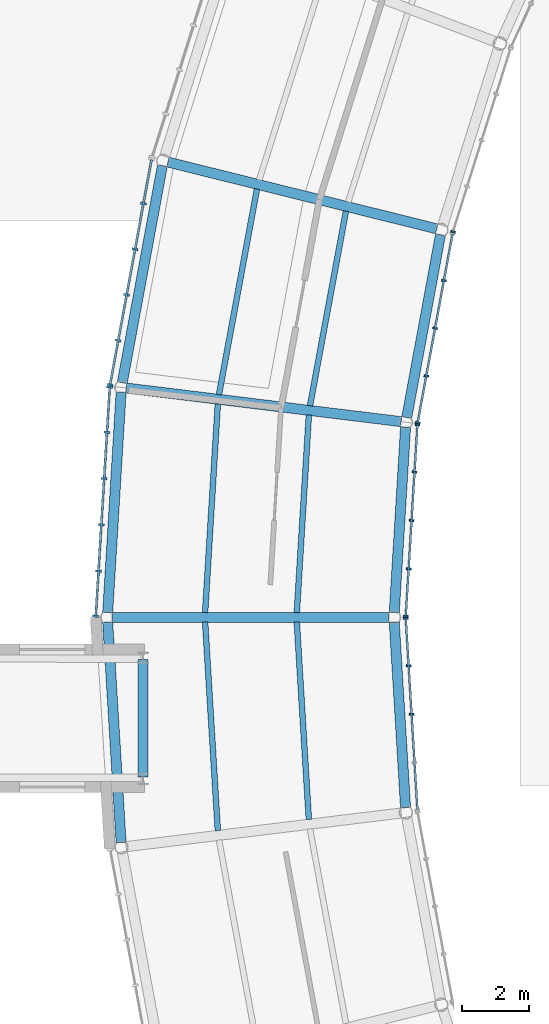
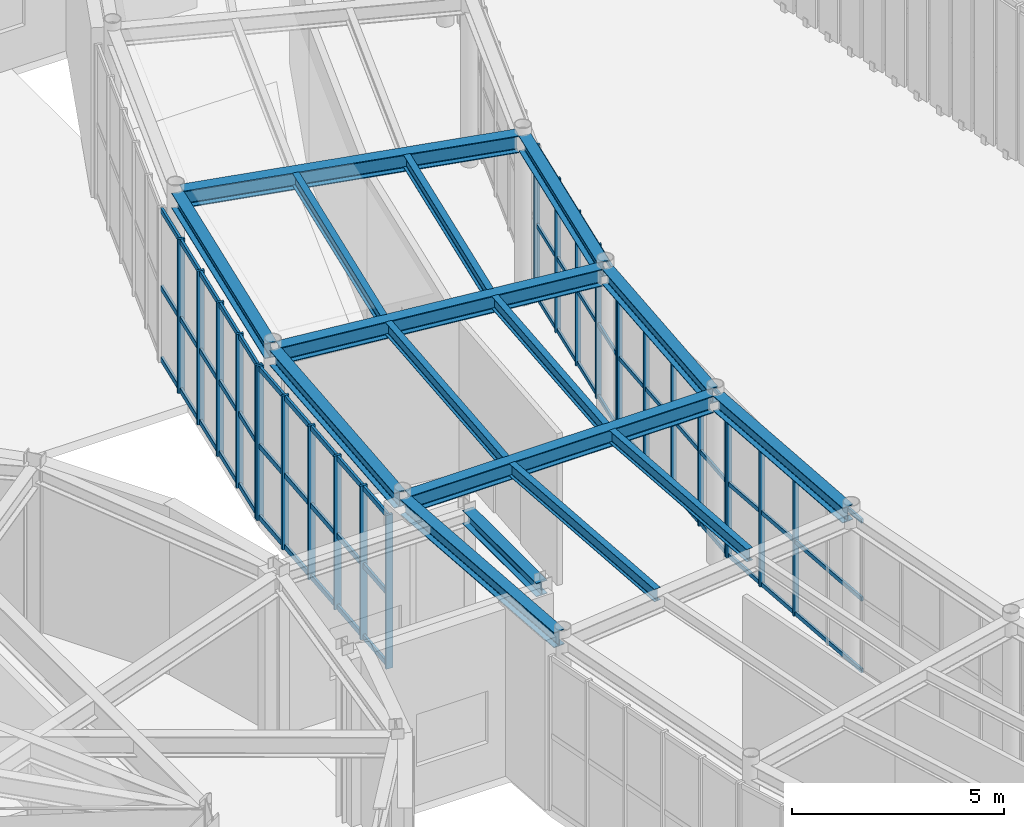
# One storey, part 24 of 97: 39 members, 16 beams, 6 elements without a shape of their own.
"""IFC4 building model written with IfcOpenShell, lengths in metres."""

import ifcopenshell
import ifcopenshell.guid

model = None  # the IFC model being written
_history = None  # IfcOwnerHistory: only IFC2X3 demands one
_inside = {}  # id of a spatial element -> (the spatial element, [elements in it])
_under = {}  # id of a project, library or spatial element -> (it, [spatial elements below it])
_declared = {}  # id of a project -> (the project, [libraries it declares])
_typed = {}  # id of a type object -> (the type object, [elements of that type])
_made_of = {}  # id of a material, layer set ... -> (it, [elements and type objects made of it])


def new_model(schema):
    """Start an empty IFC model of exactly this schema.

    Asked for "IFC4X3", IfcOpenShell would pick the latest addendum, in which some entities
    have other attributes; the version numbers below select the first issue.
    IFC2X3 requires an IfcOwnerHistory on every rooted entity: one is made here for all.
    """
    global model, _history
    if schema == "IFC4X3":
        model = ifcopenshell.file(schema_version=(4, 3, 0, 0))
    else:
        model = ifcopenshell.file(schema=schema)
    _inside.clear()
    _under.clear()
    _declared.clear()
    _typed.clear()
    _made_of.clear()
    _history = None
    if model.schema == "IFC2X3":
        org = make("IfcOrganization", Name="unknown")
        user = make(
            "IfcPersonAndOrganization",
            ThePerson=make("IfcPerson", FamilyName="unknown"),
            TheOrganization=org,
        )
        app = make(
            "IfcApplication",
            ApplicationDeveloper=org,
            Version="unknown",
            ApplicationFullName="unknown",
            ApplicationIdentifier="unknown",
        )
        _history = make(
            "IfcOwnerHistory",
            OwningUser=user,
            OwningApplication=app,
            ChangeAction="ADDED",
            CreationDate=0,
        )
    return model


def make(cls, **values):
    """One entity of the class cls with the attributes given. An attribute that is None is left unset."""
    return model.create_entity(
        cls, **{name: value for name, value in values.items() if value is not None}
    )


def rooted(cls, **values):
    """An entity with a GlobalId (a new one), such as an element, a storey or a relation."""
    return make(cls, GlobalId=ifcopenshell.guid.new(), OwnerHistory=_history, **values)


def si_unit(unit_type, name, prefix=None):
    """IfcSIUnit, for example si_unit("LENGTHUNIT", "METRE", prefix="MILLI")."""
    return make("IfcSIUnit", UnitType=unit_type, Prefix=prefix, Name=name)


def assignment(units):
    """IfcUnitAssignment: the units of a project."""
    return None if units is None else make("IfcUnitAssignment", Units=units)


def point(xyz):
    """IfcCartesianPoint."""
    return None if xyz is None else make("IfcCartesianPoint", Coordinates=xyz)


def direction(xyz):
    """IfcDirection."""
    return None if xyz is None else make("IfcDirection", DirectionRatios=xyz)


def frame(location, z_axis=None, x_axis=None):
    """IfcAxis2Placement3D, a coordinate frame: its origin and axes. An axis left out is left unset."""
    return make(
        "IfcAxis2Placement3D",
        Location=point(location),
        Axis=direction(z_axis),
        RefDirection=direction(x_axis),
    )


def frame_2d(location, x_axis=None):
    """IfcAxis2Placement2D, a coordinate frame in the plane: its origin and x axis."""
    return make(
        "IfcAxis2Placement2D", Location=point(location), RefDirection=direction(x_axis)
    )


def origin():
    """The frame at (0, 0, 0) with its axes left unset."""
    return frame((0.0, 0.0, 0.0))


def origin_2d():
    """The frame at (0, 0) in the plane with its x axis left unset."""
    return frame_2d((0.0, 0.0))


def place(relative_to, where):
    """IfcLocalPlacement: puts the frame where relative to a parent placement (None: the world)."""
    return make(
        "IfcLocalPlacement", PlacementRelTo=relative_to, RelativePlacement=where
    )


def context(
    kind, dimensions, precision=None, world=None, true_north=None, identifier=None
):
    """IfcGeometricRepresentationContext, for example the 3D "Model" context."""
    return make(
        "IfcGeometricRepresentationContext",
        ContextIdentifier=identifier,
        ContextType=kind,
        CoordinateSpaceDimension=dimensions,
        Precision=precision,
        WorldCoordinateSystem=world,
        TrueNorth=true_north,
    )


def subcontext(parent, identifier, kind, view, scale=None):
    """IfcGeometricRepresentationSubContext, for example "Body" below "Model"."""
    return make(
        "IfcGeometricRepresentationSubContext",
        ContextIdentifier=identifier,
        ContextType=kind,
        ParentContext=parent,
        TargetScale=scale,
        TargetView=view,
    )


def project(units=None, contexts=None):
    """IfcProject with its units and contexts."""
    return rooted(
        "IfcProject",
        Name="project",
        RepresentationContexts=contexts,
        UnitsInContext=assignment(units),
    )


def spatial(cls, under=None, at=None, **own):
    """A site, building, storey or space (cls), placed at a placement, below another one or the project."""
    s = rooted(cls, ObjectPlacement=at, **own)
    if under is not None:
        _under.setdefault(under.id(), (under, []))[1].append(s)
    return s


def profile(cls, at=None, kind="AREA", **sizes):
    """A parametric profile (cls). Its sizes go by their IFC names, for example OverallWidth=200.0."""
    return make(cls, ProfileType=kind, Position=at, **sizes)


def rectangle(**sizes):
    """IfcRectangleProfileDef."""
    return profile("IfcRectangleProfileDef", **sizes)


def i_section(**sizes):
    """IfcIShapeProfileDef."""
    return profile("IfcIShapeProfileDef", **sizes)


def extrude(swept, where, along, depth):
    """IfcExtrudedAreaSolid: the profile swept, set in the frame where, extruded along a direction by depth."""
    return make(
        "IfcExtrudedAreaSolid",
        SweptArea=swept,
        Position=where,
        ExtrudedDirection=direction(along),
        Depth=depth,
    )


def shape(context_of_items, identifier, shape_type, items):
    """IfcShapeRepresentation: the items that make up one representation, for example the "Body"."""
    return make(
        "IfcShapeRepresentation",
        ContextOfItems=context_of_items,
        RepresentationIdentifier=identifier,
        RepresentationType=shape_type,
        Items=items,
    )


def material(Name=None, Category=None):
    """IfcMaterial."""
    return make("IfcMaterial", Name=Name, Category=Category)


def material_profile(
    of_material, cross_section, Name=None, Category=None, Priority=None
):
    """IfcMaterialProfile: a cross section and its material."""
    return make(
        "IfcMaterialProfile",
        Name=Name,
        Material=of_material,
        Profile=cross_section,
        Priority=Priority,
        Category=Category,
    )


def profile_set(profiles, Name=None, composite=None):
    """IfcMaterialProfileSet."""
    return make(
        "IfcMaterialProfileSet",
        Name=Name,
        MaterialProfiles=profiles,
        CompositeProfile=composite,
    )


def made_of(thing, what):
    """Note that an element or type object is made of a material, layer set ...; save() writes the relation."""
    if what is not None:
        _made_of.setdefault(what.id(), (what, []))[1].append(thing)
    return thing


def type_object(cls, material=None, **own):
    """A type object (cls), such as IfcWallType, which elements share."""
    return made_of(rooted(cls, **own), material)


def element(
    cls,
    number,
    at=None,
    inside=None,
    cuts=None,
    type_object=None,
    material=None,
    context=None,
    identifier="Body",
    shape_type=None,
    held_by="IfcProductDefinitionShape",
    body=None,
    shapes=None,
    **own,
):
    """One element of the class cls, such as IfcWall. Its Tag is "e" and its number.

    at: its placement. inside: the storey or other place that contains it. cuts: it is an
    opening in that element (IfcRelVoidsElement). A single representation is given by context,
    identifier, shape_type and body (its items); several are given by shapes. held_by: the class
    of the entity that holds the representations. save() writes the other relations.
    """
    e = rooted(cls, Tag="e%d" % number, ObjectPlacement=at, **own)
    if body is not None:
        shapes = [shape(context, identifier, shape_type, body)]
    if shapes is not None:
        e.Representation = make(held_by, Representations=shapes)
    if inside is not None:
        _inside.setdefault(inside.id(), (inside, []))[1].append(e)
    if cuts is not None:
        rooted(
            "IfcRelVoidsElement", RelatingBuildingElement=cuts, RelatedOpeningElement=e
        )
    if type_object is not None:
        _typed.setdefault(type_object.id(), (type_object, []))[1].append(e)
    return made_of(e, material)


def aggregate(whole, parts):
    """IfcRelAggregates: a whole, such as a stair, and the parts it consists of."""
    return rooted("IfcRelAggregates", RelatingObject=whole, RelatedObjects=parts)


def save(model, path):
    """Write the relations noted so far, then the file.

    IfcRelAggregates (storeys below a building ...), IfcRelContainedInSpatialStructure (elements
    in a storey), IfcRelDefinesByType, IfcRelAssociatesMaterial and IfcRelDeclares: one each for
    every whole, place, type object, material and project.
    """
    for whole, parts in _under.values():
        aggregate(whole, parts)
    for where, things in _inside.values():
        rooted(
            "IfcRelContainedInSpatialStructure",
            RelatedElements=things,
            RelatingStructure=where,
        )
    for kind, things in _typed.values():
        rooted("IfcRelDefinesByType", RelatedObjects=things, RelatingType=kind)
    for what, things in _made_of.values():
        rooted("IfcRelAssociatesMaterial", RelatedObjects=things, RelatingMaterial=what)
    for by, libraries in _declared.values():
        rooted("IfcRelDeclares", RelatingContext=by, RelatedDefinitions=libraries)
    model.write(path)


model = new_model("IFC4")

# Units and contexts
model_context = context("Model", 3, precision=1e-05, world=origin(), true_north=direction((0.0, 1.0)))
body_context = subcontext(model_context, "Body", "Model", "MODEL_VIEW")
ifc_project = project(units=[si_unit("LENGTHUNIT", "METRE"), si_unit("AREAUNIT", "SQUARE_METRE"), si_unit("VOLUMEUNIT", "CUBIC_METRE"), si_unit("PLANEANGLEUNIT", "RADIAN"), si_unit("MASSUNIT", "GRAM", prefix="KILO")], contexts=[model_context])

# Site, building, storey
site_placement = place(None, origin())
site = spatial("IfcSite", under=ifc_project, at=site_placement, CompositionType="ELEMENT")
building_placement = place(site_placement, origin())
building = spatial("IfcBuilding", under=site, at=building_placement, Name="Varnklinge Art Gallery", CompositionType="ELEMENT")
storey_placement = place(building_placement, origin())
storey = spatial("IfcBuildingStorey", under=building, at=storey_placement, Name="L00", CompositionType="ELEMENT", Elevation=0.0)

# Beams
ifc_material_1 = material(Name="Steel S355", Category="steel")
ifc_material_profile_1 = material_profile(ifc_material_1, i_section(OverallWidth=0.300048828125, OverallDepth=0.489990234375, WebThickness=0.011962890625, FlangeThickness=0.02294921875, FilletRadius=0.027099609375, at=origin_2d()), Name="HEA 500")
ifc_profile_set_1 = profile_set([ifc_material_profile_1], Name="Steel S355")
beam_type_1 = type_object("IfcBeamType", Name="BM-07", PredefinedType="BEAM", material=ifc_profile_set_1)
beam_1_placement = place(storey_placement, frame((41.53759765625, 68.531982421875, 4.635009765625), z_axis=(0.970493677731, -0.241126567355, 0.0), x_axis=(0.241126567355, 0.970493677731, 0.0)))
element("IfcBeam", 1, at=beam_1_placement, inside=storey, type_object=beam_type_1, Name="L00 BM-07 BM-V2-L01-R25", PredefinedType="BEAM", context=body_context, shape_type="SweptSolid", body=[
    extrude(i_section(OverallWidth=0.300048828125, OverallDepth=0.489990234375, WebThickness=0.011962890625, FlangeThickness=0.02294921875, FilletRadius=0.027099609375, at=origin_2d()), origin(), (0.0, 0.0, 1.0), 8.236572265625),
])
for number, where, z_axis, x_axis, name in (
    (2, (40.297119140625, 61.81640625, 4.635009765625), (0.992595580805, -0.121466098009, 0.0), (0.121466098009, 0.992595580805, 0.0), "L00 BM-07 BM-V2-L01-R26"),
    (3, (39.881591796875, 55.0, 4.635009765625), (1.0, 0.0, 0.0), (0.0, 1.0, 0.0), "L00 BM-07 BM-V2-L01-R27"),
):
    element("IfcBeam", number, at=place(storey_placement, frame(where, z_axis=z_axis, x_axis=x_axis)), inside=storey, type_object=beam_type_1, Name=name, PredefinedType="BEAM", context=body_context, shape_type="SweptSolid", body=[
        extrude(i_section(OverallWidth=0.300048828125, OverallDepth=0.489990234375, WebThickness=0.011962890625, FlangeThickness=0.02294921875, FilletRadius=0.027099609375, at=origin_2d()), origin(), (0.0, 0.0, 1.0), 8.23681640625),
    ])
ifc_material_2 = material(Name="Steel S355", Category="steel")
ifc_material_profile_2 = material_profile(ifc_material_2, i_section(OverallWidth=0.300048828125, OverallDepth=0.389892578125, WebThickness=0.010986328125, FlangeThickness=0.01904296875, FilletRadius=0.027099609375, at=origin_2d()), Name="HEA 400")
ifc_profile_set_2 = profile_set([ifc_material_profile_2], Name="Steel S355")
beam_type_2 = type_object("IfcBeamType", Name="BM-09", PredefinedType="BEAM", material=ifc_profile_set_2)
beam_2_placement = place(storey_placement, frame((40.800048828125, 50.260009765625, 4.68505859375), z_axis=(0.0, 1.0, 0.0), x_axis=(-1.0, 0.0, 0.0)))
element("IfcBeam", 4, at=beam_2_placement, inside=storey, type_object=beam_type_2, Name="L00 BM-09 BM-LNK-V3-L01-2", PredefinedType="BEAM", context=body_context, shape_type="SweptSolid", body=[
    extrude(i_section(OverallWidth=0.300048828125, OverallDepth=0.389892578125, WebThickness=0.010986328125, FlangeThickness=0.01904296875, FilletRadius=0.027099609375, at=origin_2d()), origin(), (0.0, 0.0, 1.0), 3.47998046875),
])
ifc_material_3 = material(Name="Steel S355", Category="steel")
ifc_material_profile_3 = material_profile(ifc_material_3, i_section(OverallWidth=0.169921875, OverallDepth=0.360107421875, WebThickness=0.008056640625, FlangeThickness=0.0126953125, FilletRadius=0.01806640625, at=origin_2d()), Name="IPE 360")
ifc_profile_set_3 = profile_set([ifc_material_profile_3], Name="Steel S355")
beam_type_3 = type_object("IfcBeamType", Name="JST-06", PredefinedType="JOIST", material=ifc_profile_set_3)
beam_3_placement = place(storey_placement, frame((44.1865234375, 67.729736328125, 4.699951171875), z_axis=(-0.181640421722, -0.983365017273, 0.0), x_axis=(0.983365017273, -0.181640421722, 0.0)))
element("IfcBeam", 5, at=beam_3_placement, inside=storey, type_object=beam_type_3, Name="L00 JST-06 JST-V2-L01-25-1", PredefinedType="JOIST", context=body_context, shape_type="SweptSolid", body=[
    extrude(i_section(OverallWidth=0.169921875, OverallDepth=0.360107421875, WebThickness=0.008056640625, FlangeThickness=0.0126953125, FilletRadius=0.01806640625, at=origin_2d()), origin(), (0.0, 0.0, 1.0), 6.213623046875),
])
beam_4_placement = place(storey_placement, frame((46.83154296875, 67.072509765625, 4.699951171875), z_axis=(-0.181631460363, -0.983366672512, 0.0), x_axis=(0.983366672512, -0.181631460363, 0.0)))
element("IfcBeam", 6, at=beam_4_placement, inside=storey, type_object=beam_type_3, Name="L00 JST-06 JST-V2-L01-25-2", PredefinedType="JOIST", context=body_context, shape_type="SweptSolid", body=[
    extrude(i_section(OverallWidth=0.169921875, OverallDepth=0.360107421875, WebThickness=0.008056640625, FlangeThickness=0.0126953125, FilletRadius=0.01806640625, at=origin_2d()), origin(), (0.0, 0.0, 1.0), 5.882080078125),
])
beam_5_placement = place(storey_placement, frame((43.023681640625, 61.342041015625, 4.699951171875), z_axis=(-0.060820084919, -0.998148745063, 0.0), x_axis=(0.998148745063, -0.060820084919, 0.0)))
element("IfcBeam", 7, at=beam_5_placement, inside=storey, type_object=beam_type_3, Name="L00 JST-06 JST-V2-L01-26-1", PredefinedType="JOIST", context=body_context, shape_type="SweptSolid", body=[
    extrude(i_section(OverallWidth=0.169921875, OverallDepth=0.360107421875, WebThickness=0.008056640625, FlangeThickness=0.0126953125, FilletRadius=0.01806640625, at=origin_2d()), origin(), (0.0, 0.0, 1.0), 6.2138671875),
])
beam_6_placement = place(storey_placement, frame((45.72900390625, 61.010986328125, 4.699951171875), z_axis=(-0.060845929193, -0.998147169961, 0.0), x_axis=(0.998147169961, -0.060845929193, 0.0)))
element("IfcBeam", 8, at=beam_6_placement, inside=storey, type_object=beam_type_3, Name="L00 JST-06 JST-V2-L01-26-2", PredefinedType="JOIST", context=body_context, shape_type="SweptSolid", body=[
    extrude(i_section(OverallWidth=0.169921875, OverallDepth=0.360107421875, WebThickness=0.008056640625, FlangeThickness=0.0126953125, FilletRadius=0.01806640625, at=origin_2d()), origin(), (0.0, 0.0, 1.0), 5.88232421875),
])
beam_7_placement = place(storey_placement, frame((42.645751953125, 54.8603515625, 4.699951171875), z_axis=(0.060820084919, -0.998148745063, 0.0), x_axis=(0.998148745063, 0.060820084919, 0.0)))
element("IfcBeam", 9, at=beam_7_placement, inside=storey, type_object=beam_type_3, Name="L00 JST-06 JST-V2-L01-27-1", PredefinedType="JOIST", context=body_context, shape_type="SweptSolid", body=[
    extrude(i_section(OverallWidth=0.169921875, OverallDepth=0.360107421875, WebThickness=0.008056640625, FlangeThickness=0.0126953125, FilletRadius=0.01806640625, at=origin_2d()), origin(), (0.0, 0.0, 1.0), 6.2138671875),
])
beam_8_placement = place(storey_placement, frame((45.37109375, 54.8603515625, 4.699951171875), z_axis=(0.060845929193, -0.998147169961, 0.0), x_axis=(0.998147169961, 0.060845929193, 0.0)))
element("IfcBeam", 10, at=beam_8_placement, inside=storey, type_object=beam_type_3, Name="L00 JST-06 JST-V2-L01-27-2", PredefinedType="JOIST", context=body_context, shape_type="SweptSolid", body=[
    extrude(i_section(OverallWidth=0.169921875, OverallDepth=0.360107421875, WebThickness=0.008056640625, FlangeThickness=0.0126953125, FilletRadius=0.01806640625, at=origin_2d()), origin(), (0.0, 0.0, 1.0), 5.88232421875),
])

# Curtain wall, members
ifc_material_4 = material(Name="Anodised Aluminium", Category="aluminium")
curtain_wall_type_1 = type_object("IfcCurtainWallType", Name="CW-R01", PredefinedType="USERDEFINED", material=ifc_material_4)
curtain_wall_1_placement = place(storey_placement, origin())
curtain_wall_1 = element("IfcCurtainWall", 11, at=curtain_wall_1_placement, inside=storey, type_object=curtain_wall_type_1, Name="L00 Curtain Wall CW-V2O-L00-25", ObjectType="UNITISED CURTAIN WALL", PredefinedType="USERDEFINED")
ifc_material_5 = material(Name="Anodised Aluminium", Category="aluminium")
ifc_material_profile_4 = material_profile(ifc_material_5, rectangle(XDim=0.06494140625, YDim=0.179931640625, at=origin_2d()), Name="ALU 65x180")
ifc_profile_set_4 = profile_set([ifc_material_profile_4], Name="Anodised Aluminium")
member_type_1 = type_object("IfcMemberType", Name="MUL-01", PredefinedType="MULLION", material=ifc_profile_set_4)
member_1_placement = place(storey_placement, frame((40.8115234375, 67.29541015625, 0.0), z_axis=(0.0, 0.0, 1.0), x_axis=(-0.18172066947, -0.983350191075, 0.0)))
member_1 = element("IfcMember", 12, at=member_1_placement, type_object=member_type_1, Name="CW-V2O-L00-25 Mullion 2", PredefinedType="MULLION", context=body_context, shape_type="SweptSolid", body=[
    extrude(rectangle(XDim=0.06494140625, YDim=0.179931640625, at=origin_2d()), origin(), (0.0, 0.0, 1.0), 4.429931640625),
])
member_2_placement = place(storey_placement, frame((40.561279296875, 65.9404296875, 0.0), z_axis=(0.0, 0.0, 1.0), x_axis=(-0.18172066947, -0.983350191075, 0.0)))
member_2 = element("IfcMember", 13, at=member_2_placement, type_object=member_type_1, Name="CW-V2O-L00-25 Mullion 3", PredefinedType="MULLION", context=body_context, shape_type="SweptSolid", body=[
    extrude(rectangle(XDim=0.06494140625, YDim=0.179931640625, at=origin_2d()), origin(), (0.0, 0.0, 1.0), 4.429931640625),
])
member_3_placement = place(storey_placement, frame((40.31103515625, 64.585693359375, 0.0), z_axis=(0.0, 0.0, 1.0), x_axis=(-0.18172066947, -0.983350191075, 0.0)))
member_3 = element("IfcMember", 14, at=member_3_placement, type_object=member_type_1, Name="CW-V2O-L00-25 Mullion 4", PredefinedType="MULLION", context=body_context, shape_type="SweptSolid", body=[
    extrude(rectangle(XDim=0.06494140625, YDim=0.179931640625, at=origin_2d()), origin(), (0.0, 0.0, 1.0), 4.429931640625),
])
member_4_placement = place(storey_placement, frame((40.060791015625, 63.230712890625, 0.0), z_axis=(0.0, 0.0, 1.0), x_axis=(-0.18172066947, -0.983350191075, 0.0)))
member_4 = element("IfcMember", 15, at=member_4_placement, type_object=member_type_1, Name="CW-V2O-L00-25 Mullion 5", PredefinedType="MULLION", context=body_context, shape_type="SweptSolid", body=[
    extrude(rectangle(XDim=0.06494140625, YDim=0.179931640625, at=origin_2d()), origin(), (0.0, 0.0, 1.0), 4.429931640625),
])
member_5_placement = place(storey_placement, frame((39.81640625, 61.907958984375, 0.0), z_axis=(0.0, 0.0, 1.0), x_axis=(-0.18172066947, -0.983350191075, 0.0)))
member_5 = element("IfcMember", 16, at=member_5_placement, type_object=member_type_1, Name="CW-V2O-L00-25 Mullion 6", PredefinedType="MULLION", context=body_context, shape_type="SweptSolid", body=[
    extrude(rectangle(XDim=0.06494140625, YDim=0.179931640625, at=origin_2d()), origin(), (0.0, 0.0, 1.0), 4.429931640625),
])

curtain_wall_2_placement = place(storey_placement, origin())
curtain_wall_2 = element("IfcCurtainWall", 17, at=curtain_wall_2_placement, inside=storey, type_object=curtain_wall_type_1, Name="L00 Curtain Wall CW-V2O-L00-26", ObjectType="UNITISED CURTAIN WALL", PredefinedType="USERDEFINED")
member_6_placement = place(storey_placement, frame((39.80859375, 61.843505859375, 0.0), z_axis=(0.0, 0.0, 1.0), x_axis=(-0.06087433122, -0.9981454382, 0.0)))
member_6 = element("IfcMember", 18, at=member_6_placement, type_object=member_type_1, Name="CW-V2O-L00-26 Mullion 1", PredefinedType="MULLION", context=body_context, shape_type="SweptSolid", body=[
    extrude(rectangle(XDim=0.06494140625, YDim=0.179931640625, at=origin_2d()), origin(), (0.0, 0.0, 1.0), 4.429931640625),
])
member_7_placement = place(storey_placement, frame((39.726806640625, 60.500732421875, 0.0), z_axis=(0.0, 0.0, 1.0), x_axis=(-0.06087433122, -0.9981454382, 0.0)))
member_7 = element("IfcMember", 19, at=member_7_placement, type_object=member_type_1, Name="CW-V2O-L00-26 Mullion 2", PredefinedType="MULLION", context=body_context, shape_type="SweptSolid", body=[
    extrude(rectangle(XDim=0.06494140625, YDim=0.179931640625, at=origin_2d()), origin(), (0.0, 0.0, 1.0), 4.429931640625),
])
member_8_placement = place(storey_placement, frame((39.64306640625, 59.12548828125, 0.0), z_axis=(0.0, 0.0, 1.0), x_axis=(-0.06087433122, -0.9981454382, 0.0)))
member_8 = element("IfcMember", 20, at=member_8_placement, type_object=member_type_1, Name="CW-V2O-L00-26 Mullion 3", PredefinedType="MULLION", context=body_context, shape_type="SweptSolid", body=[
    extrude(rectangle(XDim=0.06494140625, YDim=0.179931640625, at=origin_2d()), origin(), (0.0, 0.0, 1.0), 4.429931640625),
])
member_9_placement = place(storey_placement, frame((39.55908203125, 57.75048828125, 0.0), z_axis=(0.0, 0.0, 1.0), x_axis=(-0.06087433122, -0.9981454382, 0.0)))
member_9 = element("IfcMember", 21, at=member_9_placement, type_object=member_type_1, Name="CW-V2O-L00-26 Mullion 4", PredefinedType="MULLION", context=body_context, shape_type="SweptSolid", body=[
    extrude(rectangle(XDim=0.06494140625, YDim=0.179931640625, at=origin_2d()), origin(), (0.0, 0.0, 1.0), 4.429931640625),
])
member_10_placement = place(storey_placement, frame((39.475341796875, 56.375244140625, 0.0), z_axis=(0.0, 0.0, 1.0), x_axis=(-0.06087433122, -0.9981454382, 0.0)))
member_10 = element("IfcMember", 22, at=member_10_placement, type_object=member_type_1, Name="CW-V2O-L00-26 Mullion 5", PredefinedType="MULLION", context=body_context, shape_type="SweptSolid", body=[
    extrude(rectangle(XDim=0.06494140625, YDim=0.179931640625, at=origin_2d()), origin(), (0.0, 0.0, 1.0), 4.429931640625),
])
member_11_placement = place(storey_placement, frame((39.3935546875, 55.032470703125, 0.0), z_axis=(0.0, 0.0, 1.0), x_axis=(-0.06087433122, -0.9981454382, 0.0)))
member_11 = element("IfcMember", 23, at=member_11_placement, type_object=member_type_1, Name="CW-V2O-L00-26 Mullion 6", PredefinedType="MULLION", context=body_context, shape_type="SweptSolid", body=[
    extrude(rectangle(XDim=0.06494140625, YDim=0.179931640625, at=origin_2d()), origin(), (0.0, 0.0, 1.0), 4.429931640625),
])

# Curtain wall, member
ifc_material_6 = material(Name="Anodised Aluminium", Category="aluminium")
curtain_wall_type_2 = type_object("IfcCurtainWallType", Name="CW-R03", PredefinedType="USERDEFINED", material=ifc_material_6)
curtain_wall_3_placement = place(storey_placement, origin())
curtain_wall_3 = element("IfcCurtainWall", 24, at=curtain_wall_3_placement, inside=storey, type_object=curtain_wall_type_2, Name="L00 Curtain Wall CW-V2I-L00-24", ObjectType="UNITISED CURTAIN WALL", PredefinedType="USERDEFINED")
ifc_material_7 = material(Name="Anodised Aluminium", Category="aluminium")
ifc_material_profile_5 = material_profile(ifc_material_7, rectangle(XDim=0.06005859375, YDim=0.139892578125, at=origin_2d()), Name="ALU 60x140")
ifc_profile_set_5 = profile_set([ifc_material_profile_5], Name="Anodised Aluminium")
member_type_2 = type_object("IfcMemberType", Name="MUL-03", PredefinedType="MULLION", material=ifc_profile_set_5)
member_12_placement = place(storey_placement, frame((50.015869140625, 66.456298828125, 0.0), z_axis=(0.0, 0.0, 1.0), x_axis=(0.299706904751, 0.954031326134, 0.0)))
member_12 = element("IfcMember", 25, at=member_12_placement, type_object=member_type_2, Name="CW-V2I-L00-24 Mullion 1", PredefinedType="MULLION", context=body_context, shape_type="SweptSolid", body=[
    extrude(rectangle(XDim=0.06005859375, YDim=0.139892578125, at=origin_2d()), origin(), (0.0, 0.0, 1.0), 4.429931640625),
])
aggregate(curtain_wall_3, [member_12])

# Curtain wall, members
curtain_wall_4_placement = place(storey_placement, origin())
curtain_wall_4 = element("IfcCurtainWall", 26, at=curtain_wall_4_placement, inside=storey, type_object=curtain_wall_type_2, Name="L00 Curtain Wall CW-V2I-L00-25", ObjectType="UNITISED CURTAIN WALL", PredefinedType="USERDEFINED")
member_13_placement = place(storey_placement, frame((48.96484375, 60.785888671875, 0.0), z_axis=(0.0, 0.0, 1.0), x_axis=(0.181549039717, 0.983381892338, 0.0)))
member_13 = element("IfcMember", 27, at=member_13_placement, type_object=member_type_2, Name="CW-V2I-L00-25 Mullion 1", PredefinedType="MULLION", context=body_context, shape_type="SweptSolid", body=[
    extrude(rectangle(XDim=0.06005859375, YDim=0.139892578125, at=origin_2d()), origin(), (0.0, 0.0, 1.0), 4.429931640625),
])
member_14_placement = place(storey_placement, frame((49.22119140625, 62.17431640625, 0.0), z_axis=(0.0, 0.0, 1.0), x_axis=(0.181549039717, 0.983381892338, 0.0)))
member_14 = element("IfcMember", 28, at=member_14_placement, type_object=member_type_2, Name="CW-V2I-L00-25 Mullion 2", PredefinedType="MULLION", context=body_context, shape_type="SweptSolid", body=[
    extrude(rectangle(XDim=0.06005859375, YDim=0.139892578125, at=origin_2d()), origin(), (0.0, 0.0, 1.0), 4.429931640625),
])
member_15_placement = place(storey_placement, frame((49.483154296875, 63.592041015625, 0.0), z_axis=(0.0, 0.0, 1.0), x_axis=(0.181549039717, 0.983381892338, 0.0)))
member_15 = element("IfcMember", 29, at=member_15_placement, type_object=member_type_2, Name="CW-V2I-L00-25 Mullion 3", PredefinedType="MULLION", context=body_context, shape_type="SweptSolid", body=[
    extrude(rectangle(XDim=0.06005859375, YDim=0.139892578125, at=origin_2d()), origin(), (0.0, 0.0, 1.0), 4.429931640625),
])
member_16_placement = place(storey_placement, frame((49.7451171875, 65.009765625, 0.0), z_axis=(0.0, 0.0, 1.0), x_axis=(0.181549039717, 0.983381892338, 0.0)))
member_16 = element("IfcMember", 30, at=member_16_placement, type_object=member_type_2, Name="CW-V2I-L00-25 Mullion 4", PredefinedType="MULLION", context=body_context, shape_type="SweptSolid", body=[
    extrude(rectangle(XDim=0.06005859375, YDim=0.139892578125, at=origin_2d()), origin(), (0.0, 0.0, 1.0), 4.429931640625),
])

curtain_wall_5_placement = place(storey_placement, origin())
curtain_wall_5 = element("IfcCurtainWall", 31, at=curtain_wall_5_placement, inside=storey, type_object=curtain_wall_type_2, Name="L00 Curtain Wall CW-V2I-L00-26", ObjectType="UNITISED CURTAIN WALL", PredefinedType="USERDEFINED")
member_17_placement = place(storey_placement, frame((48.6103515625, 55.02978515625, 0.0), z_axis=(0.0, 0.0, 1.0), x_axis=(0.06087433122, 0.9981454382, 0.0)))
member_17 = element("IfcMember", 32, at=member_17_placement, type_object=member_type_2, Name="CW-V2I-L00-26 Mullion 1", PredefinedType="MULLION", context=body_context, shape_type="SweptSolid", body=[
    extrude(rectangle(XDim=0.06005859375, YDim=0.139892578125, at=origin_2d()), origin(), (0.0, 0.0, 1.0), 4.429931640625),
])
member_18_placement = place(storey_placement, frame((48.6962890625, 56.439208984375, 0.0), z_axis=(0.0, 0.0, 1.0), x_axis=(0.06087433122, 0.9981454382, 0.0)))
member_18 = element("IfcMember", 33, at=member_18_placement, type_object=member_type_2, Name="CW-V2I-L00-26 Mullion 2", PredefinedType="MULLION", context=body_context, shape_type="SweptSolid", body=[
    extrude(rectangle(XDim=0.06005859375, YDim=0.139892578125, at=origin_2d()), origin(), (0.0, 0.0, 1.0), 4.429931640625),
])
member_19_placement = place(storey_placement, frame((48.783935546875, 57.878173828125, 0.0), z_axis=(0.0, 0.0, 1.0), x_axis=(0.06087433122, 0.9981454382, 0.0)))
member_19 = element("IfcMember", 34, at=member_19_placement, type_object=member_type_2, Name="CW-V2I-L00-26 Mullion 3", PredefinedType="MULLION", context=body_context, shape_type="SweptSolid", body=[
    extrude(rectangle(XDim=0.06005859375, YDim=0.139892578125, at=origin_2d()), origin(), (0.0, 0.0, 1.0), 4.429931640625),
])
member_20_placement = place(storey_placement, frame((48.87158203125, 59.3173828125, 0.0), z_axis=(0.0, 0.0, 1.0), x_axis=(0.06087433122, 0.9981454382, 0.0)))
member_20 = element("IfcMember", 35, at=member_20_placement, type_object=member_type_2, Name="CW-V2I-L00-26 Mullion 4", PredefinedType="MULLION", context=body_context, shape_type="SweptSolid", body=[
    extrude(rectangle(XDim=0.06005859375, YDim=0.139892578125, at=origin_2d()), origin(), (0.0, 0.0, 1.0), 4.429931640625),
])
member_21_placement = place(storey_placement, frame((48.95751953125, 60.7265625, 0.0), z_axis=(0.0, 0.0, 1.0), x_axis=(0.06087433122, 0.9981454382, 0.0)))
member_21 = element("IfcMember", 36, at=member_21_placement, type_object=member_type_2, Name="CW-V2I-L00-26 Mullion 5", PredefinedType="MULLION", context=body_context, shape_type="SweptSolid", body=[
    extrude(rectangle(XDim=0.06005859375, YDim=0.139892578125, at=origin_2d()), origin(), (0.0, 0.0, 1.0), 4.429931640625),
])

curtain_wall_6_placement = place(storey_placement, origin())
curtain_wall_6 = element("IfcCurtainWall", 37, at=curtain_wall_6_placement, inside=storey, type_object=curtain_wall_type_2, Name="L00 Curtain Wall CW-V2I-L00-27", ObjectType="UNITISED CURTAIN WALL", PredefinedType="USERDEFINED")
member_22_placement = place(storey_placement, frame((48.783935546875, 52.121826171875, 0.0), z_axis=(0.0, 0.0, 1.0), x_axis=(-0.06087433122, 0.9981454382, 0.0)))
member_22 = element("IfcMember", 38, at=member_22_placement, type_object=member_type_2, Name="CW-V2I-L00-27 Mullion 3", PredefinedType="MULLION", context=body_context, shape_type="SweptSolid", body=[
    extrude(rectangle(XDim=0.06005859375, YDim=0.139892578125, at=origin_2d()), origin(), (0.0, 0.0, 1.0), 4.429931640625),
])
member_23_placement = place(storey_placement, frame((48.6962890625, 53.560791015625, 0.0), z_axis=(0.0, 0.0, 1.0), x_axis=(-0.06087433122, 0.9981454382, 0.0)))
member_23 = element("IfcMember", 39, at=member_23_placement, type_object=member_type_2, Name="CW-V2I-L00-27 Mullion 4", PredefinedType="MULLION", context=body_context, shape_type="SweptSolid", body=[
    extrude(rectangle(XDim=0.06005859375, YDim=0.139892578125, at=origin_2d()), origin(), (0.0, 0.0, 1.0), 4.429931640625),
])
member_24_placement = place(storey_placement, frame((48.6103515625, 54.97021484375, 0.0), z_axis=(0.0, 0.0, 1.0), x_axis=(-0.06087433122, 0.9981454382, 0.0)))
member_24 = element("IfcMember", 40, at=member_24_placement, type_object=member_type_2, Name="CW-V2I-L00-27 Mullion 5", PredefinedType="MULLION", context=body_context, shape_type="SweptSolid", body=[
    extrude(rectangle(XDim=0.06005859375, YDim=0.139892578125, at=origin_2d()), origin(), (0.0, 0.0, 1.0), 4.429931640625),
])

# Beams
ifc_material_8 = material(Name="Steel S355", Category="steel")
ifc_material_profile_6 = material_profile(ifc_material_8, i_section(OverallWidth=0.300048828125, OverallDepth=0.43994140625, WebThickness=0.011474609375, FlangeThickness=0.02099609375, FilletRadius=0.027099609375, at=origin_2d()), Name="HEA 450")
ifc_profile_set_6 = profile_set([ifc_material_profile_6], Name="Steel S355")
beam_type_4 = type_object("IfcBeamType", Name="SPB-02", PredefinedType="SPANDREL", material=ifc_profile_set_6)
beam_9_placement = place(storey_placement, frame((41.376220703125, 68.427978515625, 4.659912109375), z_axis=(-0.181672496831, -0.983359092039, 0.0), x_axis=(0.983359092039, -0.181672496831, 0.0)))
element("IfcBeam", 41, at=beam_9_placement, inside=storey, type_object=beam_type_4, Name="L00 SPB-02 BM-V2-L01-O25", PredefinedType="SPANDREL", context=body_context, shape_type="SweptSolid", body=[
    extrude(i_section(OverallWidth=0.300048828125, OverallDepth=0.43994140625, WebThickness=0.011474609375, FlangeThickness=0.02099609375, FilletRadius=0.027099609375, at=origin_2d()), origin(), (0.0, 0.0, 1.0), 6.566162109375),
])
beam_10_placement = place(storey_placement, frame((49.641845703125, 66.374267578125, 4.659912109375), z_axis=(-0.181635496942, -0.983365926932, 0.0), x_axis=(0.983365926932, -0.181635496942, 0.0)))
element("IfcBeam", 42, at=beam_10_placement, inside=storey, type_object=beam_type_4, Name="L00 SPB-02 BM-V2-L01-I25", PredefinedType="SPANDREL", context=body_context, shape_type="SweptSolid", body=[
    extrude(i_section(OverallWidth=0.300048828125, OverallDepth=0.43994140625, WebThickness=0.011474609375, FlangeThickness=0.02099609375, FilletRadius=0.027099609375, at=origin_2d()), origin(), (0.0, 0.0, 1.0), 5.52978515625),
])
beam_11_placement = place(storey_placement, frame((40.1494140625, 61.69384765625, 4.659912109375), z_axis=(-0.060827334582, -0.998148303293, 0.0), x_axis=(0.998148303293, -0.060827334582, 0.0)))
element("IfcBeam", 43, at=beam_11_placement, inside=storey, type_object=beam_type_4, Name="L00 SPB-02 BM-V2-L01-O26", PredefinedType="SPANDREL", context=body_context, shape_type="SweptSolid", body=[
    extrude(i_section(OverallWidth=0.300048828125, OverallDepth=0.43994140625, WebThickness=0.011474609375, FlangeThickness=0.02099609375, FilletRadius=0.027099609375, at=origin_2d()), origin(), (0.0, 0.0, 1.0), 6.56640625),
])
beam_12_placement = place(storey_placement, frame((48.603515625, 60.6591796875, 4.659912109375), z_axis=(-0.06083896784, -0.998147594293, 0.0), x_axis=(0.998147594293, -0.06083896784, 0.0)))
element("IfcBeam", 44, at=beam_12_placement, inside=storey, type_object=beam_type_4, Name="L00 SPB-02 BM-V2-L01-I26", PredefinedType="SPANDREL", context=body_context, shape_type="SweptSolid", body=[
    extrude(i_section(OverallWidth=0.300048828125, OverallDepth=0.43994140625, WebThickness=0.011474609375, FlangeThickness=0.02099609375, FilletRadius=0.027099609375, at=origin_2d()), origin(), (0.0, 0.0, 1.0), 5.52978515625),
])
beam_13_placement = place(storey_placement, frame((39.75, 54.8603515625, 4.659912109375), z_axis=(0.060827334582, -0.998148303293, 0.0), x_axis=(0.998148303293, 0.060827334582, 0.0)))
element("IfcBeam", 45, at=beam_13_placement, inside=storey, type_object=beam_type_4, Name="L00 SPB-02 BM-V2-L01-O27", PredefinedType="SPANDREL", context=body_context, shape_type="SweptSolid", body=[
    extrude(i_section(OverallWidth=0.300048828125, OverallDepth=0.43994140625, WebThickness=0.011474609375, FlangeThickness=0.02099609375, FilletRadius=0.027099609375, at=origin_2d()), origin(), (0.0, 0.0, 1.0), 6.56640625),
])
beam_14_placement = place(storey_placement, frame((48.26708984375, 54.8603515625, 4.659912109375), z_axis=(0.06083896784, -0.998147594293, 0.0), x_axis=(0.998147594293, 0.06083896784, 0.0)))
element("IfcBeam", 46, at=beam_14_placement, inside=storey, type_object=beam_type_4, Name="L00 SPB-02 BM-V2-L01-I27", PredefinedType="SPANDREL", context=body_context, shape_type="SweptSolid", body=[
    extrude(i_section(OverallWidth=0.300048828125, OverallDepth=0.43994140625, WebThickness=0.011474609375, FlangeThickness=0.02099609375, FilletRadius=0.027099609375, at=origin_2d()), origin(), (0.0, 0.0, 1.0), 5.52978515625),
])

# Member
ifc_material_9 = material(Name="Anodised Aluminium", Category="aluminium")
ifc_material_profile_7 = material_profile(ifc_material_9, rectangle(XDim=0.06494140625, YDim=0.14990234375, at=origin_2d()), Name="ALU 65x150")
ifc_profile_set_7 = profile_set([ifc_material_profile_7], Name="Anodised Aluminium")
member_type_3 = type_object("IfcMemberType", Name="TRN-01", PredefinedType="USERDEFINED", material=ifc_profile_set_7)
member_25_placement = place(storey_placement, frame((41.055908203125, 68.6181640625, 0.074951171875), z_axis=(-0.181645952551, -0.98336399564, 0.0), x_axis=(0.98336399564, -0.181645952551, 0.0)))
member_25 = element("IfcMember", 47, at=member_25_placement, type_object=member_type_3, Name="CW-V2O-L00-25 Transom 1", ObjectType="TRANSOM", PredefinedType="USERDEFINED", context=body_context, shape_type="SweptSolid", body=[
    extrude(rectangle(XDim=0.06494140625, YDim=0.14990234375, at=origin_2d()), origin(), (0.0, 0.0, 1.0), 6.82373046875),
])

member_26_placement = place(storey_placement, frame((41.055908203125, 68.6181640625, 2.12646484375), z_axis=(-0.181645952551, -0.98336399564, 0.0), x_axis=(0.98336399564, -0.181645952551, 0.0)))
member_26 = element("IfcMember", 48, at=member_26_placement, type_object=member_type_3, Name="CW-V2O-L00-25 Transom 2", ObjectType="TRANSOM", PredefinedType="USERDEFINED", context=body_context, shape_type="SweptSolid", body=[
    extrude(rectangle(XDim=0.06494140625, YDim=0.14990234375, at=origin_2d()), origin(), (0.0, 0.0, 1.0), 6.82373046875),
])

member_27_placement = place(storey_placement, frame((41.055908203125, 68.6181640625, 4.35498046875), z_axis=(-0.181645952551, -0.98336399564, 0.0), x_axis=(0.98336399564, -0.181645952551, 0.0)))
member_27 = element("IfcMember", 49, at=member_27_placement, type_object=member_type_3, Name="CW-V2O-L00-25 Transom 3", ObjectType="TRANSOM", PredefinedType="USERDEFINED", context=body_context, shape_type="SweptSolid", body=[
    extrude(rectangle(XDim=0.06494140625, YDim=0.14990234375, at=origin_2d()), origin(), (0.0, 0.0, 1.0), 6.82373046875),
])

aggregate(curtain_wall_1, [member_1, member_2, member_3, member_4, member_5, member_25, member_26, member_27])

member_28_placement = place(storey_placement, frame((39.80859375, 61.843505859375, 0.074951171875), z_axis=(-0.060823446783, -0.998148540209, 0.0), x_axis=(0.998148540209, -0.060823446783, 0.0)))
member_28 = element("IfcMember", 50, at=member_28_placement, type_object=member_type_3, Name="CW-V2O-L00-26 Transom 1", ObjectType="TRANSOM", PredefinedType="USERDEFINED", context=body_context, shape_type="SweptSolid", body=[
    extrude(rectangle(XDim=0.06494140625, YDim=0.14990234375, at=origin_2d()), origin(), (0.0, 0.0, 1.0), 6.82373046875),
])

member_29_placement = place(storey_placement, frame((39.80859375, 61.843505859375, 2.12646484375), z_axis=(-0.060823446783, -0.998148540209, 0.0), x_axis=(0.998148540209, -0.060823446783, 0.0)))
member_29 = element("IfcMember", 51, at=member_29_placement, type_object=member_type_3, Name="CW-V2O-L00-26 Transom 2", ObjectType="TRANSOM", PredefinedType="USERDEFINED", context=body_context, shape_type="SweptSolid", body=[
    extrude(rectangle(XDim=0.06494140625, YDim=0.14990234375, at=origin_2d()), origin(), (0.0, 0.0, 1.0), 6.82373046875),
])

member_30_placement = place(storey_placement, frame((39.80859375, 61.843505859375, 4.35498046875), z_axis=(-0.060823446783, -0.998148540209, 0.0), x_axis=(0.998148540209, -0.060823446783, 0.0)))
member_30 = element("IfcMember", 52, at=member_30_placement, type_object=member_type_3, Name="CW-V2O-L00-26 Transom 3", ObjectType="TRANSOM", PredefinedType="USERDEFINED", context=body_context, shape_type="SweptSolid", body=[
    extrude(rectangle(XDim=0.06494140625, YDim=0.14990234375, at=origin_2d()), origin(), (0.0, 0.0, 1.0), 6.82373046875),
])

aggregate(curtain_wall_2, [member_6, member_7, member_8, member_9, member_10, member_11, member_28, member_29, member_30])

ifc_material_10 = material(Name="Anodised Aluminium", Category="aluminium")
ifc_material_profile_8 = material_profile(ifc_material_10, rectangle(XDim=0.06005859375, YDim=0.1201171875, at=origin_2d()), Name="ALU 60x120")
ifc_profile_set_8 = profile_set([ifc_material_profile_8], Name="Anodised Aluminium")
member_type_4 = type_object("IfcMemberType", Name="TRN-02", PredefinedType="USERDEFINED", material=ifc_profile_set_8)
member_31_placement = place(storey_placement, frame((48.96484375, 60.785888671875, 0.06005859375), z_axis=(0.181632759384, 0.983366432577, 0.0), x_axis=(-0.983366432577, 0.181632759384, 0.0)))
member_31 = element("IfcMember", 53, at=member_31_placement, type_object=member_type_4, Name="CW-V2I-L00-25 Transom 1", ObjectType="TRANSOM", PredefinedType="USERDEFINED", context=body_context, shape_type="SweptSolid", body=[
    extrude(rectangle(XDim=0.06005859375, YDim=0.1201171875, at=origin_2d()), origin(), (0.0, 0.0, 1.0), 5.707275390625),
])

member_32_placement = place(storey_placement, frame((48.96484375, 60.785888671875, 2.12646484375), z_axis=(0.181632759384, 0.983366432577, 0.0), x_axis=(-0.983366432577, 0.181632759384, 0.0)))
member_32 = element("IfcMember", 54, at=member_32_placement, type_object=member_type_4, Name="CW-V2I-L00-25 Transom 2", ObjectType="TRANSOM", PredefinedType="USERDEFINED", context=body_context, shape_type="SweptSolid", body=[
    extrude(rectangle(XDim=0.06005859375, YDim=0.1201171875, at=origin_2d()), origin(), (0.0, 0.0, 1.0), 5.707275390625),
])

member_33_placement = place(storey_placement, frame((48.96484375, 60.785888671875, 4.3701171875), z_axis=(0.181632759384, 0.983366432577, 0.0), x_axis=(-0.983366432577, 0.181632759384, 0.0)))
member_33 = element("IfcMember", 55, at=member_33_placement, type_object=member_type_4, Name="CW-V2I-L00-25 Transom 3", ObjectType="TRANSOM", PredefinedType="USERDEFINED", context=body_context, shape_type="SweptSolid", body=[
    extrude(rectangle(XDim=0.06005859375, YDim=0.1201171875, at=origin_2d()), origin(), (0.0, 0.0, 1.0), 5.707275390625),
])

aggregate(curtain_wall_4, [member_13, member_14, member_15, member_16, member_31, member_32, member_33])

member_34_placement = place(storey_placement, frame((48.6103515625, 55.02978515625, 0.06005859375), z_axis=(0.060828268038, 0.998148246408, 0.0), x_axis=(-0.998148246408, 0.060828268038, 0.0)))
member_34 = element("IfcMember", 56, at=member_34_placement, type_object=member_type_4, Name="CW-V2I-L00-26 Transom 1", ObjectType="TRANSOM", PredefinedType="USERDEFINED", context=body_context, shape_type="SweptSolid", body=[
    extrude(rectangle(XDim=0.06005859375, YDim=0.1201171875, at=origin_2d()), origin(), (0.0, 0.0, 1.0), 5.707275390625),
])

member_35_placement = place(storey_placement, frame((48.6103515625, 55.02978515625, 2.12646484375), z_axis=(0.060828268038, 0.998148246408, 0.0), x_axis=(-0.998148246408, 0.060828268038, 0.0)))
member_35 = element("IfcMember", 57, at=member_35_placement, type_object=member_type_4, Name="CW-V2I-L00-26 Transom 2", ObjectType="TRANSOM", PredefinedType="USERDEFINED", context=body_context, shape_type="SweptSolid", body=[
    extrude(rectangle(XDim=0.06005859375, YDim=0.1201171875, at=origin_2d()), origin(), (0.0, 0.0, 1.0), 5.707275390625),
])

member_36_placement = place(storey_placement, frame((48.6103515625, 55.02978515625, 4.3701171875), z_axis=(0.060828268038, 0.998148246408, 0.0), x_axis=(-0.998148246408, 0.060828268038, 0.0)))
member_36 = element("IfcMember", 58, at=member_36_placement, type_object=member_type_4, Name="CW-V2I-L00-26 Transom 3", ObjectType="TRANSOM", PredefinedType="USERDEFINED", context=body_context, shape_type="SweptSolid", body=[
    extrude(rectangle(XDim=0.06005859375, YDim=0.1201171875, at=origin_2d()), origin(), (0.0, 0.0, 1.0), 5.707275390625),
])

aggregate(curtain_wall_5, [member_17, member_18, member_19, member_20, member_21, member_34, member_35, member_36])

member_37_placement = place(storey_placement, frame((48.95751953125, 49.2734375, 0.06005859375), z_axis=(-0.060828268038, 0.998148246408, 0.0), x_axis=(-0.998148246408, -0.060828268038, 0.0)))
member_37 = element("IfcMember", 59, at=member_37_placement, type_object=member_type_4, Name="CW-V2I-L00-27 Transom 1", ObjectType="TRANSOM", PredefinedType="USERDEFINED", context=body_context, shape_type="SweptSolid", body=[
    extrude(rectangle(XDim=0.06005859375, YDim=0.1201171875, at=origin_2d()), origin(), (0.0, 0.0, 1.0), 5.707275390625),
])

member_38_placement = place(storey_placement, frame((48.95751953125, 49.2734375, 2.12646484375), z_axis=(-0.060828268038, 0.998148246408, 0.0), x_axis=(-0.998148246408, -0.060828268038, 0.0)))
member_38 = element("IfcMember", 60, at=member_38_placement, type_object=member_type_4, Name="CW-V2I-L00-27 Transom 2", ObjectType="TRANSOM", PredefinedType="USERDEFINED", context=body_context, shape_type="SweptSolid", body=[
    extrude(rectangle(XDim=0.06005859375, YDim=0.1201171875, at=origin_2d()), origin(), (0.0, 0.0, 1.0), 5.707275390625),
])

member_39_placement = place(storey_placement, frame((48.95751953125, 49.2734375, 4.3701171875), z_axis=(-0.060828268038, 0.998148246408, 0.0), x_axis=(-0.998148246408, -0.060828268038, 0.0)))
member_39 = element("IfcMember", 61, at=member_39_placement, type_object=member_type_4, Name="CW-V2I-L00-27 Transom 3", ObjectType="TRANSOM", PredefinedType="USERDEFINED", context=body_context, shape_type="SweptSolid", body=[
    extrude(rectangle(XDim=0.06005859375, YDim=0.1201171875, at=origin_2d()), origin(), (0.0, 0.0, 1.0), 5.707275390625),
])

aggregate(curtain_wall_6, [member_22, member_23, member_24, member_37, member_38, member_39])

save(model, "model.ifc")
